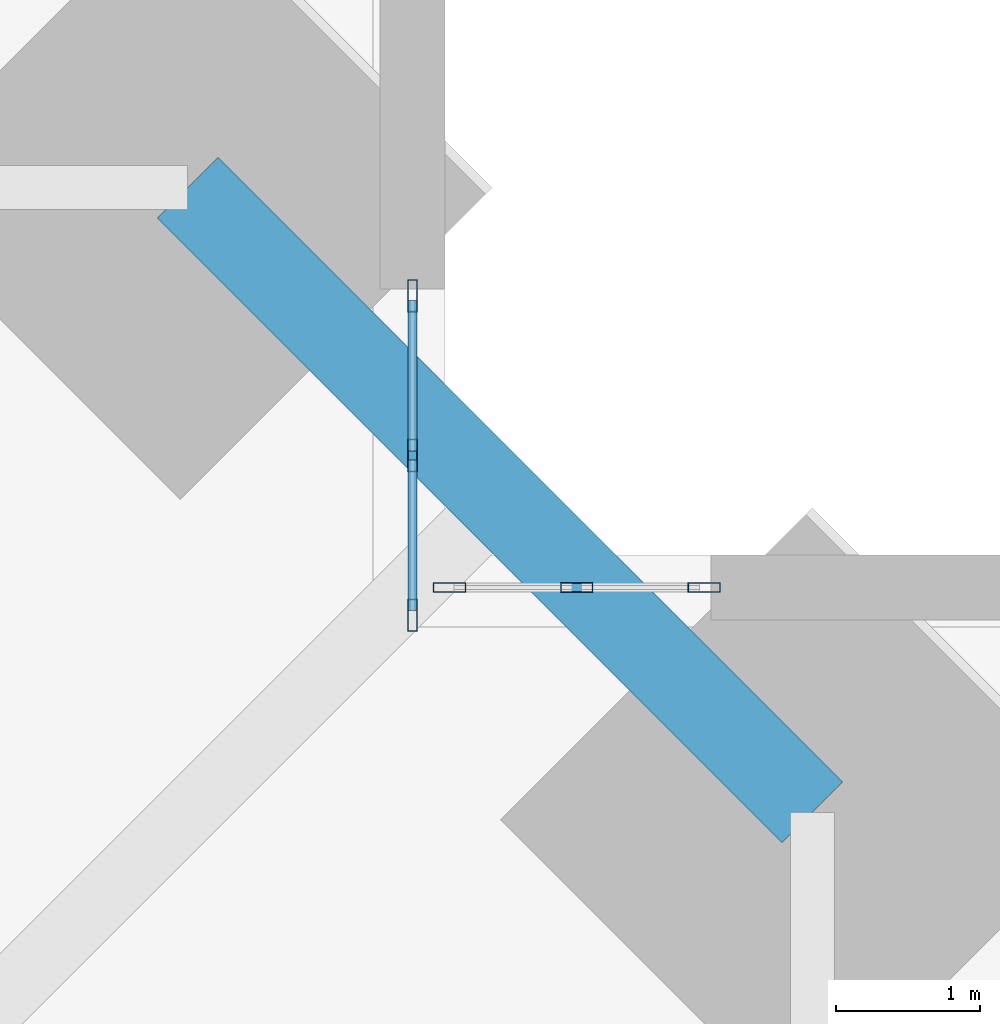
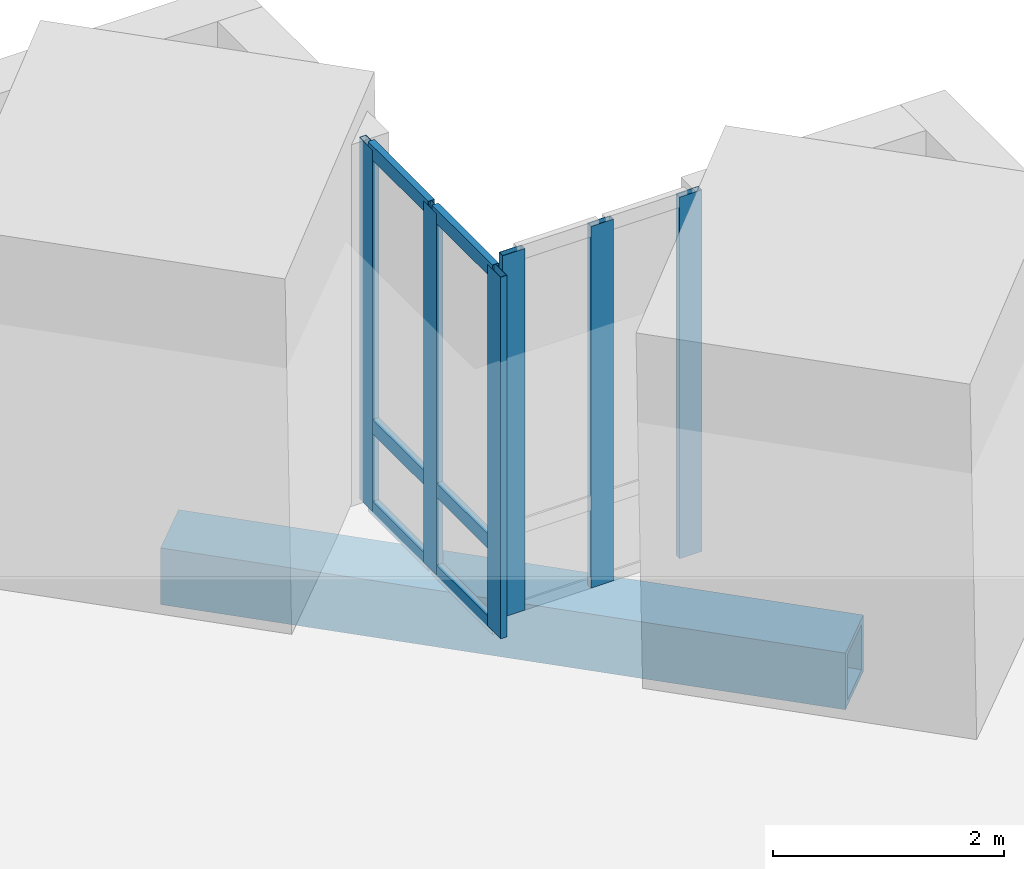
# One storey, part 8 of 16: 12 members, 1 beam, 2 elements without a shape of their own.
"""IFC4 building model written with IfcOpenShell, lengths in metres."""

from ifc_helpers import new_model, si_unit, direction, frame, origin, origin_2d, place, context, subcontext, project, spatial, hollow_rectangle, extrude, material, material_profile, profile_set, type_object, element, aggregate, save


model = new_model("IFC4")

# Units and contexts
model_context = context("Model", 3, precision=1e-05, world=origin(), true_north=direction((0.0, 1.0)))
body_context = subcontext(model_context, "Body", "Model", "MODEL_VIEW")
ifc_project = project(units=[si_unit("LENGTHUNIT", "METRE"), si_unit("AREAUNIT", "SQUARE_METRE"), si_unit("VOLUMEUNIT", "CUBIC_METRE"), si_unit("PLANEANGLEUNIT", "RADIAN"), si_unit("MASSUNIT", "GRAM", prefix="KILO")], contexts=[model_context])

# Site, building, storey
site_placement = place(None, origin())
site = spatial("IfcSite", under=ifc_project, at=site_placement, CompositionType="ELEMENT")
building_placement = place(site_placement, origin())
building = spatial("IfcBuilding", under=site, at=building_placement, Name="Peilmerk Tower", CompositionType="ELEMENT")
storey_placement = place(building_placement, frame((0.0, 0.0, 139.800048828125)))
storey = spatial("IfcBuildingStorey", under=building, at=storey_placement, Name="L28", CompositionType="ELEMENT", Elevation=139.800048828125)

# Beam
ifc_material_1 = material(Name="Steel S460", Category="steel")
ifc_material_profile_1 = material_profile(ifc_material_1, hollow_rectangle(XDim=0.60009765625, YDim=0.60009765625, WallThickness=0.06005859375, at=origin_2d()), Name="BOX 600x600x60")
ifc_profile_set_1 = profile_set([ifc_material_profile_1], Name="Steel S460")
beam_type = type_object("IfcBeamType", Name="B20 BOX 600x600x60 notch beam", PredefinedType="SPANDREL", material=ifc_profile_set_1)
beam_placement = place(storey_placement, frame((20.90966796875, 25.259765625, -0.469970703125), z_axis=(0.707106781187, -0.707106781187, 0.0), x_axis=(0.707106781187, 0.707106781187, 0.0)))
element("IfcBeam", 1, at=beam_placement, inside=storey, type_object=beam_type, Name="Notch beam L28", PredefinedType="SPANDREL", context=body_context, shape_type="SweptSolid", body=[
    extrude(hollow_rectangle(XDim=0.60009765625, YDim=0.60009765625, WallThickness=0.06005859375, at=origin_2d()), origin(), (0.0, 0.0, 1.0), 6.15185546875),
])

# Curtain wall, members
ifc_material_2 = material(Name="Aluminium stick curtain wall", Category="aluminium")
curtain_wall_type = type_object("IfcCurtainWallType", Name="CW3 stick curtain wall, 2250 module", PredefinedType="NOTDEFINED", material=ifc_material_2)
curtain_wall_1_placement = place(storey_placement, origin())
curtain_wall_1 = element("IfcCurtainWall", 2, at=curtain_wall_1_placement, inside=storey, type_object=curtain_wall_type, Name="Curtain wall CW3 NEA L28", PredefinedType="NOTDEFINED")
ifc_material_3 = material(Name="Aluminium EN AW-6063 T6", Category="aluminium")
ifc_material_profile_2 = material_profile(ifc_material_3, hollow_rectangle(XDim=0.06494140625, YDim=0.22509765625, WallThickness=0.00390625, at=origin_2d()), Name="AL 225x65x4")
ifc_profile_set_2 = profile_set([ifc_material_profile_2], Name="Aluminium EN AW-6063 T6")
member_type_1 = type_object("IfcMemberType", Name="CW3-M AL 225x65x4 mullion", PredefinedType="MULLION", material=ifc_profile_set_2)
member_1_placement = place(storey_placement, frame((22.47509765625, 22.282470703125, 0.0), z_axis=(0.0, 0.0, 1.0), x_axis=(-1.0, 0.0, 0.0)))
member_1 = element("IfcMember", 3, at=member_1_placement, type_object=member_type_1, Name="CW3 mullion 1", PredefinedType="MULLION", context=body_context, shape_type="SweptSolid", body=[
    extrude(hollow_rectangle(XDim=0.06494140625, YDim=0.22509765625, WallThickness=0.00390625, at=origin_2d()), origin(), (0.0, 0.0, 1.0), 3.829833984375),
])
member_2_placement = place(storey_placement, frame((22.47509765625, 23.394287109375, 0.0), z_axis=(0.0, 0.0, 1.0), x_axis=(-1.0, 0.0, 0.0)))
member_2 = element("IfcMember", 4, at=member_2_placement, type_object=member_type_1, Name="CW3 mullion 2", PredefinedType="MULLION", context=body_context, shape_type="SweptSolid", body=[
    extrude(hollow_rectangle(XDim=0.06494140625, YDim=0.22509765625, WallThickness=0.00390625, at=origin_2d()), origin(), (0.0, 0.0, 1.0), 3.829833984375),
])
member_3_placement = place(storey_placement, frame((22.47509765625, 24.506103515625, 0.0), z_axis=(0.0, 0.0, 1.0), x_axis=(-1.0, 0.0, 0.0)))
member_3 = element("IfcMember", 5, at=member_3_placement, type_object=member_type_1, Name="CW3 mullion 3", PredefinedType="MULLION", context=body_context, shape_type="SweptSolid", body=[
    extrude(hollow_rectangle(XDim=0.06494140625, YDim=0.22509765625, WallThickness=0.00390625, at=origin_2d()), origin(), (0.0, 0.0, 1.0), 3.829833984375),
])

curtain_wall_2_placement = place(storey_placement, origin())
curtain_wall_2 = element("IfcCurtainWall", 6, at=curtain_wall_2_placement, inside=storey, type_object=curtain_wall_type, Name="Curtain wall CW3 NEB L28", PredefinedType="NOTDEFINED")
member_4_placement = place(storey_placement, frame((22.732421875, 22.47509765625, 0.0), z_axis=(0.0, 0.0, 1.0), x_axis=(0.0, 1.0, 0.0)))
member_4 = element("IfcMember", 7, at=member_4_placement, type_object=member_type_1, Name="CW3 mullion 1", PredefinedType="MULLION", context=body_context, shape_type="SweptSolid", body=[
    extrude(hollow_rectangle(XDim=0.06494140625, YDim=0.22509765625, WallThickness=0.00390625, at=origin_2d()), origin(), (0.0, 0.0, 1.0), 3.829833984375),
])
member_5_placement = place(storey_placement, frame((23.619384765625, 22.47509765625, 0.0), z_axis=(0.0, 0.0, 1.0), x_axis=(0.0, 1.0, 0.0)))
member_5 = element("IfcMember", 8, at=member_5_placement, type_object=member_type_1, Name="CW3 mullion 2", PredefinedType="MULLION", context=body_context, shape_type="SweptSolid", body=[
    extrude(hollow_rectangle(XDim=0.06494140625, YDim=0.22509765625, WallThickness=0.00390625, at=origin_2d()), origin(), (0.0, 0.0, 1.0), 3.829833984375),
])
member_6_placement = place(storey_placement, frame((24.506103515625, 22.47509765625, 0.0), z_axis=(0.0, 0.0, 1.0), x_axis=(0.0, 1.0, 0.0)))
member_6 = element("IfcMember", 9, at=member_6_placement, type_object=member_type_1, Name="CW3 mullion 3", PredefinedType="MULLION", context=body_context, shape_type="SweptSolid", body=[
    extrude(hollow_rectangle(XDim=0.06494140625, YDim=0.22509765625, WallThickness=0.00390625, at=origin_2d()), origin(), (0.0, 0.0, 1.0), 3.829833984375),
])
aggregate(curtain_wall_2, [member_4, member_5, member_6])

# Member
ifc_material_profile_3 = material_profile(ifc_material_3, hollow_rectangle(XDim=0.06494140625, YDim=0.14990234375, WallThickness=0.0029296875, at=origin_2d()), Name="AL 150x65x3")
ifc_profile_set_3 = profile_set([ifc_material_profile_3], Name="Aluminium EN AW-6063 T6")
member_type_2 = type_object("IfcMemberType", Name="CW3-T AL 150x65x3 transom", PredefinedType="USERDEFINED", material=ifc_profile_set_3)
member_7_placement = place(storey_placement, frame((22.47509765625, 22.31494140625, 0.032470703125), z_axis=(0.0, 1.0, 0.0), x_axis=(-1.0, 0.0, 0.0)))
member_7 = element("IfcMember", 10, at=member_7_placement, type_object=member_type_2, Name="CW3 transom 1.1", ObjectType="TRANSOM", PredefinedType="USERDEFINED", context=body_context, shape_type="SweptSolid", body=[
    extrude(hollow_rectangle(XDim=0.06494140625, YDim=0.14990234375, WallThickness=0.0029296875, at=origin_2d()), origin(), (0.0, 0.0, 1.0), 1.046875),
])

member_8_placement = place(storey_placement, frame((22.47509765625, 22.31494140625, 0.89990234375), z_axis=(0.0, 1.0, 0.0), x_axis=(-1.0, 0.0, 0.0)))
member_8 = element("IfcMember", 11, at=member_8_placement, type_object=member_type_2, Name="CW3 transom 1.2", ObjectType="TRANSOM", PredefinedType="USERDEFINED", context=body_context, shape_type="SweptSolid", body=[
    extrude(hollow_rectangle(XDim=0.06494140625, YDim=0.14990234375, WallThickness=0.0029296875, at=origin_2d()), origin(), (0.0, 0.0, 1.0), 1.046875),
])

member_9_placement = place(storey_placement, frame((22.47509765625, 22.31494140625, 3.79736328125), z_axis=(0.0, 1.0, 0.0), x_axis=(-1.0, 0.0, 0.0)))
member_9 = element("IfcMember", 12, at=member_9_placement, type_object=member_type_2, Name="CW3 transom 1.3", ObjectType="TRANSOM", PredefinedType="USERDEFINED", context=body_context, shape_type="SweptSolid", body=[
    extrude(hollow_rectangle(XDim=0.06494140625, YDim=0.14990234375, WallThickness=0.0029296875, at=origin_2d()), origin(), (0.0, 0.0, 1.0), 1.046875),
])

member_10_placement = place(storey_placement, frame((22.47509765625, 23.4267578125, 0.032470703125), z_axis=(0.0, 1.0, 0.0), x_axis=(-1.0, 0.0, 0.0)))
member_10 = element("IfcMember", 13, at=member_10_placement, type_object=member_type_2, Name="CW3 transom 2.1", ObjectType="TRANSOM", PredefinedType="USERDEFINED", context=body_context, shape_type="SweptSolid", body=[
    extrude(hollow_rectangle(XDim=0.06494140625, YDim=0.14990234375, WallThickness=0.0029296875, at=origin_2d()), origin(), (0.0, 0.0, 1.0), 1.046875),
])

member_11_placement = place(storey_placement, frame((22.47509765625, 23.4267578125, 0.89990234375), z_axis=(0.0, 1.0, 0.0), x_axis=(-1.0, 0.0, 0.0)))
member_11 = element("IfcMember", 14, at=member_11_placement, type_object=member_type_2, Name="CW3 transom 2.2", ObjectType="TRANSOM", PredefinedType="USERDEFINED", context=body_context, shape_type="SweptSolid", body=[
    extrude(hollow_rectangle(XDim=0.06494140625, YDim=0.14990234375, WallThickness=0.0029296875, at=origin_2d()), origin(), (0.0, 0.0, 1.0), 1.046875),
])

member_12_placement = place(storey_placement, frame((22.47509765625, 23.4267578125, 3.79736328125), z_axis=(0.0, 1.0, 0.0), x_axis=(-1.0, 0.0, 0.0)))
member_12 = element("IfcMember", 15, at=member_12_placement, type_object=member_type_2, Name="CW3 transom 2.3", ObjectType="TRANSOM", PredefinedType="USERDEFINED", context=body_context, shape_type="SweptSolid", body=[
    extrude(hollow_rectangle(XDim=0.06494140625, YDim=0.14990234375, WallThickness=0.0029296875, at=origin_2d()), origin(), (0.0, 0.0, 1.0), 1.046875),
])

aggregate(curtain_wall_1, [member_1, member_2, member_3, member_7, member_8, member_9, member_10, member_11, member_12])

save(model, "model.ifc")
